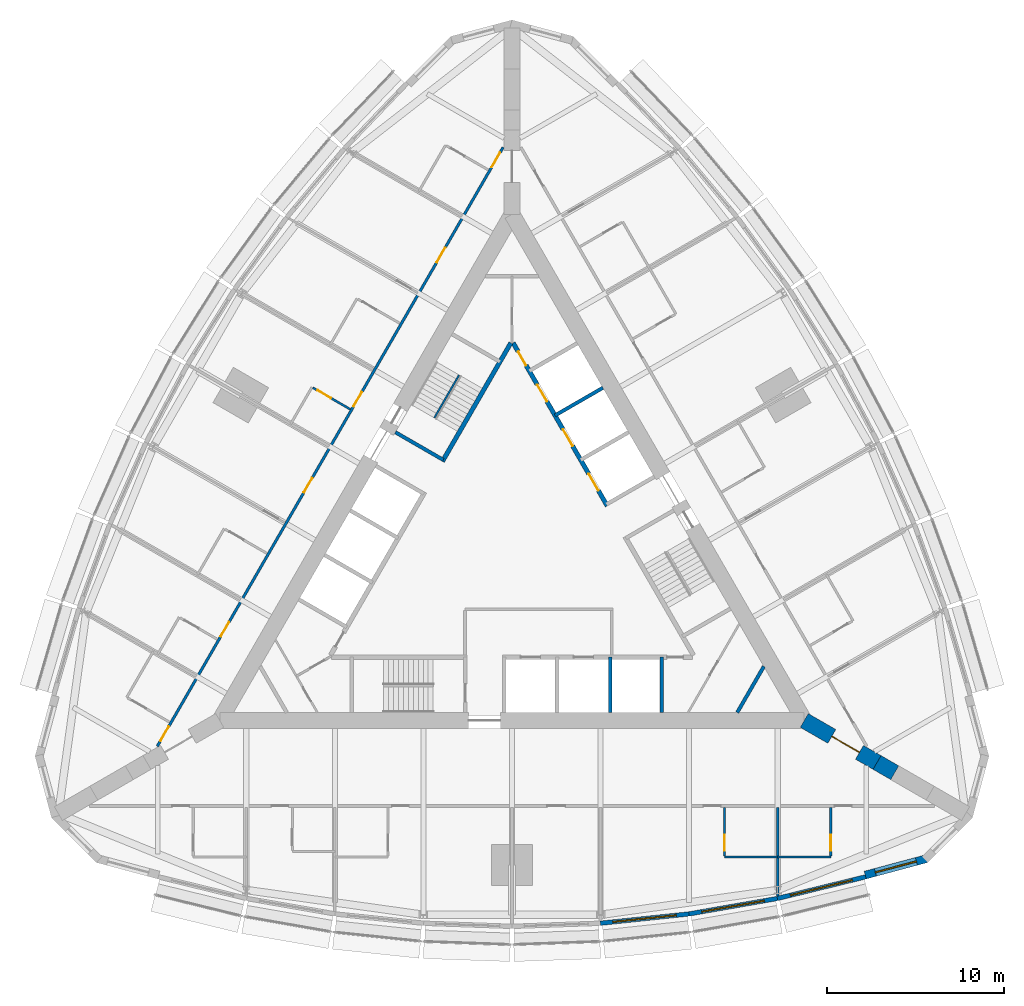
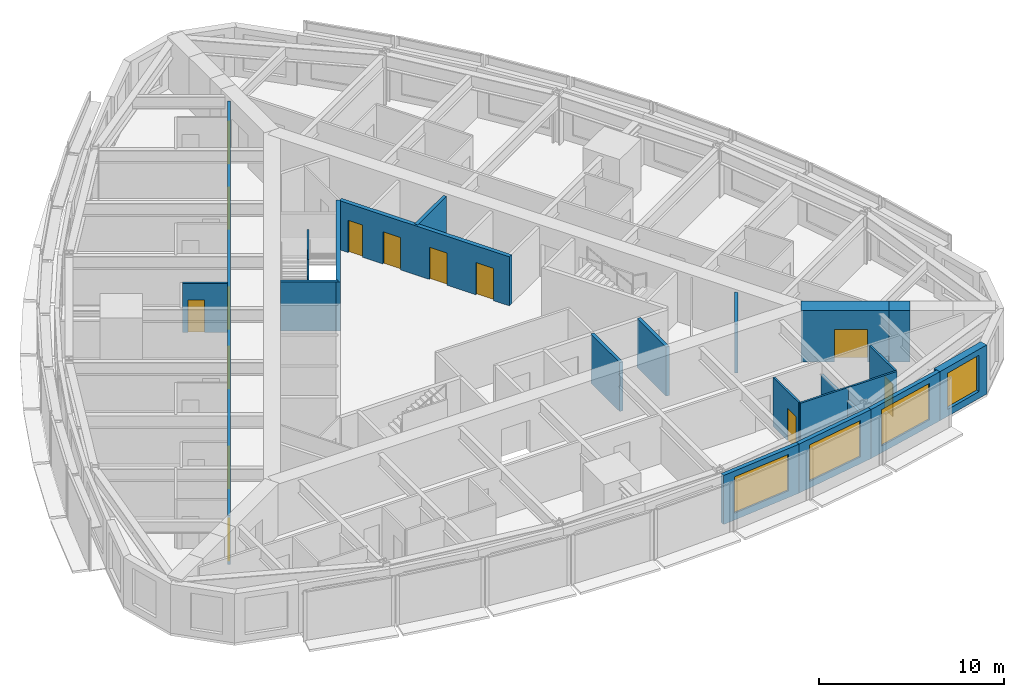
# One storey, part 10 of 14: 21 walls, 14 doors, 4 windows, 18 openings.
"""IFC4 building model written with IfcOpenShell, lengths in metres."""

from ifc_helpers import new_model, si_unit, direction, frame, frame_2d, origin, place, context, subcontext, project, spatial, rectangle, extrude, material, layer, layer_set, type_object, element, fill, save


model = new_model("IFC4")

# Units and contexts
model_context = context("Model", 3, precision=1e-05, world=origin(), true_north=direction((0.0, 1.0)))
body_context = subcontext(model_context, "Body", "Model", "MODEL_VIEW")
ifc_project = project(units=[si_unit("LENGTHUNIT", "METRE"), si_unit("AREAUNIT", "SQUARE_METRE"), si_unit("VOLUMEUNIT", "CUBIC_METRE"), si_unit("PLANEANGLEUNIT", "RADIAN"), si_unit("MASSUNIT", "GRAM", prefix="KILO")], contexts=[model_context])

# Site, building, storey
site_placement = place(None, origin())
site = spatial("IfcSite", under=ifc_project, at=site_placement, CompositionType="ELEMENT")
building_placement = place(site_placement, origin())
building = spatial("IfcBuilding", under=site, at=building_placement, Name="Trikona Tower", CompositionType="ELEMENT")
storey_placement = place(building_placement, frame((0.0, 0.0, 175.89990234375)))
storey = spatial("IfcBuildingStorey", under=building, at=storey_placement, Name="L47", CompositionType="ELEMENT", Elevation=175.89990234375)

# Wall
ifc_material_1 = material(Name="Metal stud and cement board", Category="gypsum")
ifc_layer_1 = layer(ifc_material_1, 0.1201171875)
ifc_layer_set_1 = layer_set([ifc_layer_1], Name="Bathroom wall 120")
wall_type_1 = type_object("IfcWallType", Name="Bathroom wall 120", PredefinedType="PLUMBINGWALL", material=ifc_layer_set_1)
wall_1_placement = place(storey_placement, frame((12.0, -17.226318359375, 0.0), z_axis=(0.0, 0.0, 1.0), x_axis=(1.0, 0.0, 0.0)))
element("IfcWall", 1, at=wall_1_placement, inside=storey, type_object=wall_type_1, Name="Bathroom wall 4704", PredefinedType="PLUMBINGWALL", context=body_context, shape_type="SweptSolid", body=[
    extrude(rectangle(XDim=3.0, YDim=0.1201171875, at=frame_2d((1.5, 0.0))), origin(), (0.0, 0.0, 1.0), 3.235107421875),
])

# Wall, opening, door
wall_2_placement = place(storey_placement, frame((12.0, -14.42626953125, 0.0), z_axis=(0.0, 0.0, 1.0), x_axis=(0.0, -1.0, 0.0)))
wall_2 = element("IfcWall", 2, at=wall_2_placement, inside=storey, type_object=wall_type_1, Name="Bathroom wall 4704", PredefinedType="PLUMBINGWALL", context=body_context, shape_type="SweptSolid", body=[
    extrude(rectangle(XDim=2.739990234375, YDim=0.1201171875, at=frame_2d((1.3701171875, 0.0))), origin(), (0.0, 0.0, 1.0), 3.235107421875),
])
opening_1_placement = place(wall_2_placement, frame((1.550048828125, 0.0, 0.0)))
opening_1 = element("IfcOpeningElement", 3, at=opening_1_placement, cuts=wall_2, Name="Opening D2", PredefinedType="OPENING", context=body_context, shape_type="SweptSolid", body=[
    extrude(rectangle(XDim=0.89990234375, YDim=2.1298828125, at=frame_2d((0.449951171875, 1.06494140625))), frame((0.0, 0.070068359375, 0.0), z_axis=(0.0, -1.0, 0.0), x_axis=(1.0, 0.0, 0.0)), (0.0, 0.0, 1.0), 0.14013671875),
])
ifc_material_2 = material(Name="Steel door frame with solid-core timber leaf", Category="steel")
door_type_1 = type_object("IfcDoorType", Name="Bathroom door 900x2130", OperationType="SLIDING_TO_LEFT", PredefinedType="DOOR", material=ifc_material_2)
door_1_placement = place(opening_1_placement, origin())
door_1 = element("IfcDoor", 4, at=door_1_placement, inside=storey, type_object=door_type_1, Name="Bathroom door 4704", OperationType="SLIDING_TO_LEFT", OverallHeight=2.1298828125, OverallWidth=0.89990234375, PredefinedType="DOOR", context=body_context, shape_type="SweptSolid", body=[
    extrude(rectangle(XDim=0.89990234375, YDim=2.1298828125, at=frame_2d((0.449951171875, 1.06494140625))), frame((0.0, 0.02490234375, 0.0), z_axis=(0.0, -1.0, 0.0), x_axis=(1.0, 0.0, 0.0)), (0.0, 0.0, 1.0), 0.050048828125),
])
fill(opening_1, door_1)

# Wall
wall_3_placement = place(storey_placement, frame((15.0, -17.226318359375, 0.0), z_axis=(0.0, 0.0, 1.0), x_axis=(1.0, 0.0, 0.0)))
element("IfcWall", 5, at=wall_3_placement, inside=storey, type_object=wall_type_1, Name="Bathroom wall 4705", PredefinedType="PLUMBINGWALL", context=body_context, shape_type="SweptSolid", body=[
    extrude(rectangle(XDim=3.0, YDim=0.1201171875, at=frame_2d((1.5, 0.0))), origin(), (0.0, 0.0, 1.0), 3.235107421875),
])

# Wall, opening, door
wall_4_placement = place(storey_placement, frame((18.0, -14.42626953125, 0.0), z_axis=(0.0, 0.0, 1.0), x_axis=(0.0, -1.0, 0.0)))
wall_4 = element("IfcWall", 6, at=wall_4_placement, inside=storey, type_object=wall_type_1, Name="Bathroom wall 4705", PredefinedType="PLUMBINGWALL", context=body_context, shape_type="SweptSolid", body=[
    extrude(rectangle(XDim=2.739990234375, YDim=0.1201171875, at=frame_2d((1.3701171875, 0.0))), origin(), (0.0, 0.0, 1.0), 3.235107421875),
])
opening_2_placement = place(wall_4_placement, frame((1.550048828125, 0.0, 0.0)))
opening_2 = element("IfcOpeningElement", 7, at=opening_2_placement, cuts=wall_4, Name="Opening D2", PredefinedType="OPENING", context=body_context, shape_type="SweptSolid", body=[
    extrude(rectangle(XDim=0.89990234375, YDim=2.1298828125, at=frame_2d((0.449951171875, 1.06494140625))), frame((0.0, 0.070068359375, 0.0), z_axis=(0.0, -1.0, 0.0), x_axis=(1.0, 0.0, 0.0)), (0.0, 0.0, 1.0), 0.14013671875),
])
door_2_placement = place(opening_2_placement, origin())
door_2 = element("IfcDoor", 8, at=door_2_placement, inside=storey, type_object=door_type_1, Name="Bathroom door 4705", OperationType="SLIDING_TO_LEFT", OverallHeight=2.1298828125, OverallWidth=0.89990234375, PredefinedType="DOOR", context=body_context, shape_type="SweptSolid", body=[
    extrude(rectangle(XDim=0.89990234375, YDim=2.1298828125, at=frame_2d((0.449951171875, 1.06494140625))), frame((0.0, 0.02490234375, 0.0), z_axis=(0.0, -1.0, 0.0), x_axis=(1.0, 0.0, 0.0)), (0.0, 0.0, 1.0), 0.050048828125),
])
fill(opening_2, door_2)

wall_5_placement = place(storey_placement, frame((-9.12841796875, 8.04150390625, 0.0), z_axis=(0.0, 0.0, 1.0), x_axis=(-0.866005645448, 0.500034220881, 0.0)))
wall_5 = element("IfcWall", 9, at=wall_5_placement, inside=storey, type_object=wall_type_1, Name="Bathroom wall 4712", PredefinedType="PLUMBINGWALL", context=body_context, shape_type="SweptSolid", body=[
    extrude(rectangle(XDim=2.440185546875, YDim=0.1201171875, at=frame_2d((1.22021484375, 0.0))), origin(), (0.0, 0.0, 1.0), 3.235107421875),
])
opening_3_placement = place(wall_5_placement, frame((1.25, 0.0, 0.0)))
opening_3 = element("IfcOpeningElement", 10, at=opening_3_placement, cuts=wall_5, Name="Opening D2", PredefinedType="OPENING", context=body_context, shape_type="SweptSolid", body=[
    extrude(rectangle(XDim=0.89990234375, YDim=2.1298828125, at=frame_2d((0.449951171875, 1.06494140625))), frame((0.0, 0.070068359375, 0.0), z_axis=(0.0, -1.0, 0.0), x_axis=(1.0, 0.0, 0.0)), (0.0, 0.0, 1.0), 0.14013671875),
])
door_3_placement = place(opening_3_placement, origin())
door_3 = element("IfcDoor", 11, at=door_3_placement, inside=storey, type_object=door_type_1, Name="Bathroom door 4712", OperationType="SLIDING_TO_LEFT", OverallHeight=2.1298828125, OverallWidth=0.89990234375, PredefinedType="DOOR", context=body_context, shape_type="SweptSolid", body=[
    extrude(rectangle(XDim=0.89990234375, YDim=2.1298828125, at=frame_2d((0.449951171875, 1.06494140625))), frame((0.0, 0.02490234375, 0.0), z_axis=(0.0, -1.0, 0.0), x_axis=(1.0, 0.0, 0.0)), (0.0, 0.0, 1.0), 0.050048828125),
])
fill(opening_3, door_3)

# Wall, opening, window
ifc_material_3 = material(Name="Brick-faced precast concrete", Category="masonry")
ifc_layer_2 = layer(ifc_material_3, 0.449951171875)
ifc_layer_set_2 = layer_set([ifc_layer_2], Name="Brick-faced corner wall 450")
wall_type_2 = type_object("IfcWallType", Name="Brick-faced corner wall 450", PredefinedType="SOLIDWALL", material=ifc_layer_set_2)
wall_6_placement = place(storey_placement, frame((19.94189453125, -18.2578125, 0.0), z_axis=(0.0, 0.0, 1.0), x_axis=(0.965924653531, 0.258823421857, 0.0)))
wall_6 = element("IfcWall", 12, at=wall_6_placement, inside=storey, type_object=wall_type_2, Name="External wall L47-08", PredefinedType="SOLIDWALL", context=body_context, shape_type="SweptSolid", body=[
    extrude(rectangle(XDim=3.58642578125, YDim=0.449951171875, at=frame_2d((1.793212890625, 0.0))), origin(), (0.0, 0.0, 1.0), 3.235107421875),
])
opening_4_placement = place(wall_6_placement, frame((0.593017578125, 0.0, 0.449951171875)))
opening_4 = element("IfcOpeningElement", 13, at=opening_4_placement, cuts=wall_6, Name="Opening W2424", PredefinedType="OPENING", context=body_context, shape_type="SweptSolid", body=[
    extrude(rectangle(XDim=2.39990234375, YDim=2.39990234375, at=frame_2d((1.199951171875, 1.199951171875))), frame((0.0, 0.23486328125, 0.0), z_axis=(0.0, -1.0, 0.0), x_axis=(1.0, 0.0, 0.0)), (0.0, 0.0, 1.0), 0.469970703125),
])
ifc_material_4 = material(Name="Aluminium-framed double glazing", Category="aluminium")
window_type_1 = type_object("IfcWindowType", Name="Window 2400x2400", PartitioningType="SINGLE_PANEL", PredefinedType="WINDOW", material=ifc_material_4)
window_1_placement = place(opening_4_placement, origin())
window_1 = element("IfcWindow", 14, at=window_1_placement, inside=storey, type_object=window_type_1, Name="Window 4705", OverallHeight=2.39990234375, OverallWidth=2.39990234375, PartitioningType="SINGLE_PANEL", PredefinedType="WINDOW", context=body_context, shape_type="SweptSolid", body=[
    extrude(rectangle(XDim=2.39990234375, YDim=2.39990234375, at=frame_2d((1.199951171875, 1.199951171875))), frame((0.0, 0.030029296875, 0.0), z_axis=(0.0, -1.0, 0.0), x_axis=(1.0, 0.0, 0.0)), (0.0, 0.0, 1.0), 0.06005859375),
])
fill(opening_4, window_1)

# Wall, opening, door
ifc_material_5 = material(Name="Concrete f'c 10000 psi", Category="concrete")
ifc_layer_3 = layer(ifc_material_5, 0.89990234375)
ifc_layer_set_3 = layer_set([ifc_layer_3], Name="Buttress wall 900")
wall_type_3 = type_object("IfcWallType", Name="Buttress wall 900", PredefinedType="SHEAR", material=ifc_layer_set_3)
wall_7_placement = place(storey_placement, frame((16.5, -9.5263671875, 0.0), z_axis=(0.0, 0.0, 1.0), x_axis=(0.866031398331, -0.499989616998, 0.0)))
wall_7 = element("IfcWall", 15, at=wall_7_placement, inside=storey, type_object=wall_type_3, Name="Buttress wall 1", PredefinedType="SHEAR", context=body_context, shape_type="SweptSolid", body=[
    extrude(rectangle(XDim=4.74609375, YDim=0.89990234375, at=frame_2d((2.373046875, 0.0))), origin(), (0.0, 0.0, 1.0), 3.400146484375),
])
opening_5_placement = place(wall_7_placement, frame((1.800048828125, 0.0, 0.0)))
opening_5 = element("IfcOpeningElement", 16, at=opening_5_placement, cuts=wall_7, Name="Opening D10", PredefinedType="OPENING", context=body_context, shape_type="SweptSolid", body=[
    extrude(rectangle(XDim=1.800048828125, YDim=2.1298828125, at=frame_2d((0.89990234375, 1.06494140625))), frame((0.0, 0.4599609375, 0.0), z_axis=(0.0, -1.0, 0.0), x_axis=(1.0, 0.0, 0.0)), (0.0, 0.0, 1.0), 0.919921875),
])
ifc_material_6 = material(Name="Hollow metal door and frame", Category="steel")
door_type_2 = type_object("IfcDoorType", Name="Cross-corridor door pair 1800x2130", OperationType="DOUBLE_DOOR_DOUBLE_SWING", PredefinedType="DOOR", material=ifc_material_6)
door_4_placement = place(opening_5_placement, origin())
door_4 = element("IfcDoor", 17, at=door_4_placement, inside=storey, type_object=door_type_2, Name="Cross-corridor door 1", OperationType="DOUBLE_DOOR_DOUBLE_SWING", OverallHeight=2.1298828125, OverallWidth=1.800048828125, PredefinedType="DOOR", context=body_context, shape_type="SweptSolid", body=[
    extrude(rectangle(XDim=1.800048828125, YDim=2.1298828125, at=frame_2d((0.89990234375, 1.06494140625))), frame((0.0, 0.02490234375, 0.0), z_axis=(0.0, -1.0, 0.0), x_axis=(1.0, 0.0, 0.0)), (0.0, 0.0, 1.0), 0.050048828125),
])
fill(opening_5, door_4)

# Wall
wall_8_placement = place(storey_placement, frame((20.6103515625, -11.8994140625, 0.0), z_axis=(0.0, 0.0, 1.0), x_axis=(0.866009537788, -0.500027479704, 0.0)))
element("IfcWall", 18, at=wall_8_placement, inside=storey, type_object=wall_type_3, Name="Buttress wall 1 part 2", PredefinedType="SHEAR", context=body_context, shape_type="SweptSolid", body=[
    extrude(rectangle(XDim=1.15478515625, YDim=0.89990234375, at=frame_2d((0.577392578125, 0.0))), origin(), (0.0, 0.0, 1.0), 3.400146484375),
])

# Wall, openings, doors
ifc_material_7 = material(Name="Metal stud and gypsum board, 1-hour", Category="gypsum")
ifc_layer_4 = layer(ifc_material_7, 0.14990234375)
ifc_layer_set_4 = layer_set([ifc_layer_4], Name="Corridor wall 150")
wall_type_4 = type_object("IfcWallType", Name="Corridor wall 150", PredefinedType="PARTITIONING", material=ifc_layer_set_4)
wall_9_placement = place(storey_placement, frame((-0.5, 22.83642578125, 0.0), z_axis=(0.0, 0.0, 1.0), x_axis=(-0.500001677587, -0.866024435227, 0.0)))
wall_9 = element("IfcWall", 19, at=wall_9_placement, inside=storey, type_object=wall_type_4, Name="Corridor wall L47-3", PredefinedType="PARTITIONING", context=body_context, shape_type="SweptSolid", body=[
    extrude(rectangle(XDim=39.053955078125, YDim=0.14990234375, at=frame_2d((19.52685546875, 0.0))), origin(), (0.0, 0.0, 1.0), 3.235107421875),
])
opening_6_placement = place(wall_9_placement, frame((0.35205078125, 0.0, 0.0)))
opening_6 = element("IfcOpeningElement", 20, at=opening_6_placement, cuts=wall_9, Name="Opening D1", PredefinedType="OPENING", context=body_context, shape_type="SweptSolid", body=[
    extrude(rectangle(XDim=0.949951171875, YDim=2.1298828125, at=frame_2d((0.47509765625, 1.06494140625))), frame((0.0, 0.0849609375, 0.0), z_axis=(0.0, -1.0, 0.0), x_axis=(1.0, 0.0, 0.0)), (0.0, 0.0, 1.0), 0.169921875),
])
opening_7_placement = place(wall_9_placement, frame((6.552001953125, 0.0, 0.0)))
opening_7 = element("IfcOpeningElement", 21, at=opening_7_placement, cuts=wall_9, Name="Opening D1", PredefinedType="OPENING", context=body_context, shape_type="SweptSolid", body=[
    extrude(rectangle(XDim=0.949951171875, YDim=2.1298828125, at=frame_2d((0.47509765625, 1.06494140625))), frame((0.0, 0.0849609375, 0.0), z_axis=(0.0, -1.0, 0.0), x_axis=(1.0, 0.0, 0.0)), (0.0, 0.0, 1.0), 0.169921875),
])
opening_8_placement = place(wall_9_placement, frame((15.951904296875, 0.0, 0.0)))
opening_8 = element("IfcOpeningElement", 22, at=opening_8_placement, cuts=wall_9, Name="Opening D1", PredefinedType="OPENING", context=body_context, shape_type="SweptSolid", body=[
    extrude(rectangle(XDim=0.949951171875, YDim=2.1298828125, at=frame_2d((0.47509765625, 1.06494140625))), frame((0.0, 0.0849609375, 0.0), z_axis=(0.0, -1.0, 0.0), x_axis=(1.0, 0.0, 0.0)), (0.0, 0.0, 1.0), 0.169921875),
])
opening_9_placement = place(wall_9_placement, frame((21.552001953125, 0.0, 0.0)))
opening_9 = element("IfcOpeningElement", 23, at=opening_9_placement, cuts=wall_9, Name="Opening D1", PredefinedType="OPENING", context=body_context, shape_type="SweptSolid", body=[
    extrude(rectangle(XDim=0.949951171875, YDim=2.1298828125, at=frame_2d((0.47509765625, 1.06494140625))), frame((0.0, 0.0849609375, 0.0), z_axis=(0.0, -1.0, 0.0), x_axis=(1.0, 0.0, 0.0)), (0.0, 0.0, 1.0), 0.169921875),
])
opening_10_placement = place(wall_9_placement, frame((30.951904296875, 0.0, 0.0)))
opening_10 = element("IfcOpeningElement", 24, at=opening_10_placement, cuts=wall_9, Name="Opening D1", PredefinedType="OPENING", context=body_context, shape_type="SweptSolid", body=[
    extrude(rectangle(XDim=0.949951171875, YDim=2.1298828125, at=frame_2d((0.47509765625, 1.06494140625))), frame((0.0, 0.0849609375, 0.0), z_axis=(0.0, -1.0, 0.0), x_axis=(1.0, 0.0, 0.0)), (0.0, 0.0, 1.0), 0.169921875),
])
opening_11_placement = place(wall_9_placement, frame((37.751953125, 0.0, 0.0)))
opening_11 = element("IfcOpeningElement", 25, at=opening_11_placement, cuts=wall_9, Name="Opening D1", PredefinedType="OPENING", context=body_context, shape_type="SweptSolid", body=[
    extrude(rectangle(XDim=0.949951171875, YDim=2.1298828125, at=frame_2d((0.47509765625, 1.06494140625))), frame((0.0, 0.0849609375, 0.0), z_axis=(0.0, -1.0, 0.0), x_axis=(1.0, 0.0, 0.0)), (0.0, 0.0, 1.0), 0.169921875),
])
ifc_material_8 = material(Name="Steel door frame with solid-core timber leaf", Category="steel")
door_type_3 = type_object("IfcDoorType", Name="Guest room door 950x2130", OperationType="SINGLE_SWING_LEFT", PredefinedType="DOOR", material=ifc_material_8)
door_5_placement = place(opening_6_placement, origin())
door_5 = element("IfcDoor", 26, at=door_5_placement, inside=storey, type_object=door_type_3, Name="Room door 4710", OperationType="SINGLE_SWING_LEFT", OverallHeight=2.1298828125, OverallWidth=0.949951171875, PredefinedType="DOOR", context=body_context, shape_type="SweptSolid", body=[
    extrude(rectangle(XDim=0.949951171875, YDim=2.1298828125, at=frame_2d((0.47509765625, 1.06494140625))), frame((0.0, 0.02490234375, 0.0), z_axis=(0.0, -1.0, 0.0), x_axis=(1.0, 0.0, 0.0)), (0.0, 0.0, 1.0), 0.050048828125),
])
fill(opening_6, door_5)
door_6_placement = place(opening_7_placement, origin())
door_6 = element("IfcDoor", 27, at=door_6_placement, inside=storey, type_object=door_type_3, Name="Room door 4711", OperationType="SINGLE_SWING_RIGHT", OverallHeight=2.1298828125, OverallWidth=0.949951171875, PredefinedType="DOOR", context=body_context, shape_type="SweptSolid", body=[
    extrude(rectangle(XDim=0.949951171875, YDim=2.1298828125, at=frame_2d((0.47509765625, 1.06494140625))), frame((0.0, 0.02490234375, 0.0), z_axis=(0.0, -1.0, 0.0), x_axis=(1.0, 0.0, 0.0)), (0.0, 0.0, 1.0), 0.050048828125),
])
fill(opening_7, door_6)
door_7_placement = place(opening_8_placement, origin())
door_7 = element("IfcDoor", 28, at=door_7_placement, inside=storey, type_object=door_type_3, Name="Room door 4712", OperationType="SINGLE_SWING_LEFT", OverallHeight=2.1298828125, OverallWidth=0.949951171875, PredefinedType="DOOR", context=body_context, shape_type="SweptSolid", body=[
    extrude(rectangle(XDim=0.949951171875, YDim=2.1298828125, at=frame_2d((0.47509765625, 1.06494140625))), frame((0.0, 0.02490234375, 0.0), z_axis=(0.0, -1.0, 0.0), x_axis=(1.0, 0.0, 0.0)), (0.0, 0.0, 1.0), 0.050048828125),
])
fill(opening_8, door_7)
door_8_placement = place(opening_9_placement, origin())
door_8 = element("IfcDoor", 29, at=door_8_placement, inside=storey, type_object=door_type_3, Name="Room door 4713", OperationType="SINGLE_SWING_RIGHT", OverallHeight=2.1298828125, OverallWidth=0.949951171875, PredefinedType="DOOR", context=body_context, shape_type="SweptSolid", body=[
    extrude(rectangle(XDim=0.949951171875, YDim=2.1298828125, at=frame_2d((0.47509765625, 1.06494140625))), frame((0.0, 0.02490234375, 0.0), z_axis=(0.0, -1.0, 0.0), x_axis=(1.0, 0.0, 0.0)), (0.0, 0.0, 1.0), 0.050048828125),
])
fill(opening_9, door_8)
door_9_placement = place(opening_10_placement, origin())
door_9 = element("IfcDoor", 30, at=door_9_placement, inside=storey, type_object=door_type_3, Name="Room door 4714", OperationType="SINGLE_SWING_LEFT", OverallHeight=2.1298828125, OverallWidth=0.949951171875, PredefinedType="DOOR", context=body_context, shape_type="SweptSolid", body=[
    extrude(rectangle(XDim=0.949951171875, YDim=2.1298828125, at=frame_2d((0.47509765625, 1.06494140625))), frame((0.0, 0.02490234375, 0.0), z_axis=(0.0, -1.0, 0.0), x_axis=(1.0, 0.0, 0.0)), (0.0, 0.0, 1.0), 0.050048828125),
])
fill(opening_10, door_9)
door_10_placement = place(opening_11_placement, origin())
door_10 = element("IfcDoor", 31, at=door_10_placement, inside=storey, type_object=door_type_3, Name="Room door 4715", OperationType="SINGLE_SWING_RIGHT", OverallHeight=2.1298828125, OverallWidth=0.949951171875, PredefinedType="DOOR", context=body_context, shape_type="SweptSolid", body=[
    extrude(rectangle(XDim=0.949951171875, YDim=2.1298828125, at=frame_2d((0.47509765625, 1.06494140625))), frame((0.0, 0.02490234375, 0.0), z_axis=(0.0, -1.0, 0.0), x_axis=(1.0, 0.0, 0.0)), (0.0, 0.0, 1.0), 0.050048828125),
])
fill(opening_11, door_10)

ifc_material_9 = material(Name="Concrete f'c 8000 psi", Category="concrete")
ifc_layer_5 = layer(ifc_material_9, 0.25)
ifc_layer_set_5 = layer_set([ifc_layer_5], Name="Hub wall 250")
wall_type_5 = type_object("IfcWallType", Name="Hub wall 250", PredefinedType="SOLIDWALL", material=ifc_layer_set_5)
wall_10_placement = place(storey_placement, frame((5.37890625, 2.5859375, 0.0), z_axis=(0.0, 0.0, 1.0), x_axis=(-0.500001375892, 0.866024609411, 0.0)))
wall_10 = element("IfcWall", 32, at=wall_10_placement, inside=storey, type_object=wall_type_5, Name="Lift lobby wall B2", PredefinedType="SOLIDWALL", context=body_context, shape_type="SweptSolid", body=[
    extrude(rectangle(XDim=10.6328125, YDim=0.25, at=frame_2d((5.31640625, 0.0))), origin(), (0.0, 0.0, 1.0), 3.235107421875),
])
opening_12_placement = place(wall_10_placement, frame((9.1640625, 0.0, 0.0)))
opening_12 = element("IfcOpeningElement", 33, at=opening_12_placement, cuts=wall_10, Name="Opening D14", PredefinedType="OPENING", context=body_context, shape_type="SweptSolid", body=[
    extrude(rectangle(XDim=0.89990234375, YDim=2.1298828125, at=frame_2d((0.449951171875, 1.06494140625))), frame((0.0, 0.135009765625, 0.0), z_axis=(0.0, -1.0, 0.0), x_axis=(1.0, 0.0, 0.0)), (0.0, 0.0, 1.0), 0.27001953125),
])
opening_13_placement = place(wall_10_placement, frame((1.0, 0.0, 0.0)))
opening_13 = element("IfcOpeningElement", 34, at=opening_13_placement, cuts=wall_10, Name="Opening LD", PredefinedType="OPENING", context=body_context, shape_type="SweptSolid", body=[
    extrude(rectangle(XDim=1.10009765625, YDim=2.1298828125, at=frame_2d((0.550048828125, 1.06494140625))), frame((0.0, 0.135009765625, 0.0), z_axis=(0.0, -1.0, 0.0), x_axis=(1.0, 0.0, 0.0)), (0.0, 0.0, 1.0), 0.27001953125),
])
opening_14_placement = place(wall_10_placement, frame((3.89990234375, 0.0, 0.0)))
opening_14 = element("IfcOpeningElement", 35, at=opening_14_placement, cuts=wall_10, Name="Opening LD", PredefinedType="OPENING", context=body_context, shape_type="SweptSolid", body=[
    extrude(rectangle(XDim=1.10009765625, YDim=2.1298828125, at=frame_2d((0.550048828125, 1.06494140625))), frame((0.0, 0.135009765625, 0.0), z_axis=(0.0, -1.0, 0.0), x_axis=(1.0, 0.0, 0.0)), (0.0, 0.0, 1.0), 0.27001953125),
])
opening_15_placement = place(wall_10_placement, frame((6.800048828125, 0.0, 0.0)))
opening_15 = element("IfcOpeningElement", 36, at=opening_15_placement, cuts=wall_10, Name="Opening LD", PredefinedType="OPENING", context=body_context, shape_type="SweptSolid", body=[
    extrude(rectangle(XDim=1.10009765625, YDim=2.1298828125, at=frame_2d((0.550048828125, 1.06494140625))), frame((0.0, 0.135009765625, 0.0), z_axis=(0.0, -1.0, 0.0), x_axis=(1.0, 0.0, 0.0)), (0.0, 0.0, 1.0), 0.27001953125),
])
ifc_material_10 = material(Name="Stainless steel lift landing door", Category="steel")
door_type_4 = type_object("IfcDoorType", Name="Lift landing door 1100x2130", OperationType="DOUBLE_DOOR_SLIDING", PredefinedType="USERDEFINED", material=ifc_material_10)
door_11_placement = place(opening_13_placement, origin())
door_11 = element("IfcDoor", 37, at=door_11_placement, inside=storey, type_object=door_type_4, Name="Lift landing door L2-1", ObjectType="LIFT LANDING DOOR", OperationType="DOUBLE_DOOR_SLIDING", OverallHeight=2.1298828125, OverallWidth=1.10009765625, PredefinedType="USERDEFINED", context=body_context, shape_type="SweptSolid", body=[
    extrude(rectangle(XDim=1.10009765625, YDim=2.1298828125, at=frame_2d((0.550048828125, 1.06494140625))), frame((0.0, 0.02490234375, 0.0), z_axis=(0.0, -1.0, 0.0), x_axis=(1.0, 0.0, 0.0)), (0.0, 0.0, 1.0), 0.050048828125),
])
fill(opening_13, door_11)
door_12_placement = place(opening_14_placement, origin())
door_12 = element("IfcDoor", 38, at=door_12_placement, inside=storey, type_object=door_type_4, Name="Lift landing door L2-2", ObjectType="LIFT LANDING DOOR", OperationType="DOUBLE_DOOR_SLIDING", OverallHeight=2.1298828125, OverallWidth=1.10009765625, PredefinedType="USERDEFINED", context=body_context, shape_type="SweptSolid", body=[
    extrude(rectangle(XDim=1.10009765625, YDim=2.1298828125, at=frame_2d((0.550048828125, 1.06494140625))), frame((0.0, 0.02490234375, 0.0), z_axis=(0.0, -1.0, 0.0), x_axis=(1.0, 0.0, 0.0)), (0.0, 0.0, 1.0), 0.050048828125),
])
fill(opening_14, door_12)
door_13_placement = place(opening_15_placement, origin())
door_13 = element("IfcDoor", 39, at=door_13_placement, inside=storey, type_object=door_type_4, Name="Lift landing door L2-3", ObjectType="LIFT LANDING DOOR", OperationType="DOUBLE_DOOR_SLIDING", OverallHeight=2.1298828125, OverallWidth=1.10009765625, PredefinedType="USERDEFINED", context=body_context, shape_type="SweptSolid", body=[
    extrude(rectangle(XDim=1.10009765625, YDim=2.1298828125, at=frame_2d((0.550048828125, 1.06494140625))), frame((0.0, 0.02490234375, 0.0), z_axis=(0.0, -1.0, 0.0), x_axis=(1.0, 0.0, 0.0)), (0.0, 0.0, 1.0), 0.050048828125),
])
fill(opening_15, door_13)
ifc_material_11 = material(Name="Hollow metal door and frame", Category="steel")
door_type_5 = type_object("IfcDoorType", Name="Service room door 900x2130", OperationType="SINGLE_SWING_LEFT", PredefinedType="DOOR", material=ifc_material_11)
door_14_placement = place(opening_12_placement, origin())
door_14 = element("IfcDoor", 40, at=door_14_placement, inside=storey, type_object=door_type_5, Name="Door Linen store LIN", OperationType="SINGLE_SWING_RIGHT", OverallHeight=2.1298828125, OverallWidth=0.89990234375, PredefinedType="DOOR", context=body_context, shape_type="SweptSolid", body=[
    extrude(rectangle(XDim=0.89990234375, YDim=2.1298828125, at=frame_2d((0.449951171875, 1.06494140625))), frame((0.0, 0.02490234375, 0.0), z_axis=(0.0, -1.0, 0.0), x_axis=(1.0, 0.0, 0.0)), (0.0, 0.0, 1.0), 0.050048828125),
])
fill(opening_12, door_14)

# Wall
wall_11_placement = place(storey_placement, frame((-0.0625, 11.794189453125, 0.0), z_axis=(0.0, 0.0, 1.0), x_axis=(-0.500006680225, -0.86602154692, 0.0)))
element("IfcWall", 41, at=wall_11_placement, inside=storey, type_object=wall_type_5, Name="Lift lobby wall C1", PredefinedType="SOLIDWALL", context=body_context, shape_type="SweptSolid", body=[
    extrude(rectangle(XDim=7.73291015625, YDim=0.25, at=frame_2d((3.866455078125, 0.0))), origin(), (0.0, 0.0, 1.0), 3.235107421875),
])

# Wall, opening, window
ifc_material_12 = material(Name="Insulated precast concrete spandrel panel", Category="concrete")
ifc_layer_6 = layer(ifc_material_12, 0.25)
ifc_layer_set_6 = layer_set([ifc_layer_6], Name="Inner skin wall 250")
wall_type_6 = type_object("IfcWallType", Name="Inner skin wall 250", PredefinedType="STANDARD", material=ifc_layer_set_6)
wall_12_placement = place(storey_placement, frame((4.98681640625, -20.975830078125, 0.0), z_axis=(0.0, 0.0, 1.0), x_axis=(0.994534683851, 0.104406717299, 0.0)))
wall_12 = element("IfcWall", 42, at=wall_12_placement, inside=storey, type_object=wall_type_6, Name="External wall L47-05", PredefinedType="STANDARD", context=body_context, shape_type="SweptSolid", body=[
    extrude(rectangle(XDim=5.027587890625, YDim=0.25, at=frame_2d((2.513671875, 0.0))), origin(), (0.0, 0.0, 1.0), 3.235107421875),
])
opening_16_placement = place(wall_12_placement, frame((0.713623046875, 0.0, 0.449951171875)))
opening_16 = element("IfcOpeningElement", 43, at=opening_16_placement, cuts=wall_12, Name="Opening W3624", PredefinedType="OPENING", context=body_context, shape_type="SweptSolid", body=[
    extrude(rectangle(XDim=3.60009765625, YDim=2.39990234375, at=frame_2d((1.800048828125, 1.199951171875))), frame((0.0, 0.135009765625, 0.0), z_axis=(0.0, -1.0, 0.0), x_axis=(1.0, 0.0, 0.0)), (0.0, 0.0, 1.0), 0.27001953125),
])
ifc_material_13 = material(Name="Aluminium-framed double glazing", Category="aluminium")
window_type_2 = type_object("IfcWindowType", Name="Window 3600x2400", PartitioningType="SINGLE_PANEL", PredefinedType="WINDOW", material=ifc_material_13)
window_2_placement = place(opening_16_placement, origin())
window_2 = element("IfcWindow", 44, at=window_2_placement, inside=storey, type_object=window_type_2, Name="Window 4704", OverallHeight=2.39990234375, OverallWidth=3.60009765625, PartitioningType="SINGLE_PANEL", PredefinedType="WINDOW", context=body_context, shape_type="SweptSolid", body=[
    extrude(rectangle(XDim=3.60009765625, YDim=2.39990234375, at=frame_2d((1.800048828125, 1.199951171875))), frame((0.0, 0.030029296875, 0.0), z_axis=(0.0, -1.0, 0.0), x_axis=(1.0, 0.0, 0.0)), (0.0, 0.0, 1.0), 0.06005859375),
])
fill(opening_16, window_2)

wall_13_placement = place(storey_placement, frame((9.978515625, -20.4521484375, 0.0), z_axis=(0.0, 0.0, 1.0), x_axis=(0.985030467156, 0.172380331752, 0.0)))
wall_13 = element("IfcWall", 45, at=wall_13_placement, inside=storey, type_object=wall_type_6, Name="External wall L47-06", PredefinedType="STANDARD", context=body_context, shape_type="SweptSolid", body=[
    extrude(rectangle(XDim=5.075927734375, YDim=0.25, at=frame_2d((2.5380859375, 0.0))), origin(), (0.0, 0.0, 1.0), 3.235107421875),
])
opening_17_placement = place(wall_13_placement, frame((0.738037109375, 0.0, 0.449951171875)))
opening_17 = element("IfcOpeningElement", 46, at=opening_17_placement, cuts=wall_13, Name="Opening W3624", PredefinedType="OPENING", context=body_context, shape_type="SweptSolid", body=[
    extrude(rectangle(XDim=3.60009765625, YDim=2.39990234375, at=frame_2d((1.800048828125, 1.199951171875))), frame((0.0, 0.135009765625, 0.0), z_axis=(0.0, -1.0, 0.0), x_axis=(1.0, 0.0, 0.0)), (0.0, 0.0, 1.0), 0.27001953125),
])
window_3_placement = place(opening_17_placement, origin())
window_3 = element("IfcWindow", 47, at=window_3_placement, inside=storey, type_object=window_type_2, Name="Window 4704", OverallHeight=2.39990234375, OverallWidth=3.60009765625, PartitioningType="SINGLE_PANEL", PredefinedType="WINDOW", context=body_context, shape_type="SweptSolid", body=[
    extrude(rectangle(XDim=3.60009765625, YDim=2.39990234375, at=frame_2d((1.800048828125, 1.199951171875))), frame((0.0, 0.030029296875, 0.0), z_axis=(0.0, -1.0, 0.0), x_axis=(1.0, 0.0, 0.0)), (0.0, 0.0, 1.0), 0.06005859375),
])
fill(opening_17, window_3)

wall_14_placement = place(storey_placement, frame((14.97021484375, -19.578857421875, 0.0), z_axis=(0.0, 0.0, 1.0), x_axis=(0.971270024053, 0.237980126011, 0.0)))
wall_14 = element("IfcWall", 48, at=wall_14_placement, inside=storey, type_object=wall_type_6, Name="External wall L47-07", PredefinedType="STANDARD", context=body_context, shape_type="SweptSolid", body=[
    extrude(rectangle(XDim=5.14794921875, YDim=0.25, at=frame_2d((2.573974609375, 0.0))), origin(), (0.0, 0.0, 1.0), 3.235107421875),
])
opening_18_placement = place(wall_14_placement, frame((0.77392578125, 0.0, 0.449951171875)))
opening_18 = element("IfcOpeningElement", 49, at=opening_18_placement, cuts=wall_14, Name="Opening W3624", PredefinedType="OPENING", context=body_context, shape_type="SweptSolid", body=[
    extrude(rectangle(XDim=3.60009765625, YDim=2.39990234375, at=frame_2d((1.800048828125, 1.199951171875))), frame((0.0, 0.135009765625, 0.0), z_axis=(0.0, -1.0, 0.0), x_axis=(1.0, 0.0, 0.0)), (0.0, 0.0, 1.0), 0.27001953125),
])
window_4_placement = place(opening_18_placement, origin())
window_4 = element("IfcWindow", 50, at=window_4_placement, inside=storey, type_object=window_type_2, Name="Window 4705", OverallHeight=2.39990234375, OverallWidth=3.60009765625, PartitioningType="SINGLE_PANEL", PredefinedType="WINDOW", context=body_context, shape_type="SweptSolid", body=[
    extrude(rectangle(XDim=3.60009765625, YDim=2.39990234375, at=frame_2d((1.800048828125, 1.199951171875))), frame((0.0, 0.030029296875, 0.0), z_axis=(0.0, -1.0, 0.0), x_axis=(1.0, 0.0, 0.0)), (0.0, 0.0, 1.0), 0.06005859375),
])
fill(opening_18, window_4)

# Walls
ifc_material_14 = material(Name="Metal stud and gypsum board, 1-hour acoustic", Category="gypsum")
ifc_layer_7 = layer(ifc_material_14, 0.14990234375)
ifc_layer_set_7 = layer_set([ifc_layer_7], Name="Party wall 150")
wall_type_7 = type_object("IfcWallType", Name="Party wall 150", PredefinedType="PARTITIONING", material=ifc_layer_set_7)
wall_15_placement = place(storey_placement, frame((15.0, -14.42626953125, 0.0), z_axis=(0.0, 0.0, 1.0), x_axis=(0.0, -1.0, 0.0)))
element("IfcWall", 51, at=wall_15_placement, inside=storey, type_object=wall_type_7, Name="Partition L47 F1 u15", PredefinedType="PARTITIONING", context=body_context, shape_type="SweptSolid", body=[
    extrude(rectangle(XDim=5.0166015625, YDim=0.14990234375, at=frame_2d((2.50830078125, 0.0))), origin(), (0.0, 0.0, 1.0), 2.389404296875),
])
ifc_material_15 = material(Name="Concrete f'c 8000 psi", Category="concrete")
ifc_layer_8 = layer(ifc_material_15, 0.199951171875)
ifc_layer_set_8 = layer_set([ifc_layer_8], Name="Shaft wall 200")
wall_type_8 = type_object("IfcWallType", Name="Shaft wall 200", PredefinedType="SOLIDWALL", material=ifc_layer_set_8)
for number, where, z_axis, x_axis, name in (
    (52, (5.550048828125, -5.951416015625, 0.0), (0.0, 0.0, 1.0), (0.0, -1.0, 0.0), "Shaft wall A5"),
    (53, (8.449951171875, -5.951416015625, 0.0), (0.0, 0.0, 1.0), (0.0, -1.0, 0.0), "Shaft wall A6"),
    (54, (2.428955078125, 7.695556640625, 0.0), (0.0, 0.0, 1.0), (0.866022959057, 0.500004234368, 0.0), "Shaft wall B5"),
):
    element("IfcWall", number, at=place(storey_placement, frame(where, z_axis=z_axis, x_axis=x_axis)), inside=storey, type_object=wall_type_8, Name=name, PredefinedType="SOLIDWALL", context=body_context, shape_type="SweptSolid", body=[
        extrude(rectangle(XDim=3.125, YDim=0.199951171875, at=frame_2d((1.5625, 0.0))), origin(), (0.0, 0.0, 1.0), 3.235107421875),
    ])
wall_16_placement = place(storey_placement, frame((14.219482421875, -6.476318359375, 0.0), z_axis=(0.0, 0.0, 1.0), x_axis=(-0.499952404951, -0.866052881055, 0.0)))
element("IfcWall", 55, at=wall_16_placement, inside=storey, type_object=wall_type_8, Name="Riser wall L47-RS1", PredefinedType="SOLIDWALL", context=body_context, shape_type="SweptSolid", body=[
    extrude(rectangle(XDim=3.002197265625, YDim=0.199951171875, at=frame_2d((1.5009765625, 0.0))), origin(), (0.0, 0.0, 1.0), 3.235107421875),
])
ifc_material_16 = material(Name="Concrete f'c 8000 psi", Category="concrete")
ifc_layer_9 = layer(ifc_material_16, 0.199951171875)
ifc_layer_set_9 = layer_set([ifc_layer_9], Name="Shaft wall 200 load-bearing")
wall_type_9 = type_object("IfcWallType", Name="Shaft wall 200 load-bearing", PredefinedType="SOLIDWALL", material=ifc_layer_set_9)
wall_17_placement = place(storey_placement, frame((-3.87890625, 5.18408203125, 0.0), z_axis=(0.0, 0.0, 1.0), x_axis=(-0.866022959057, 0.500004234368, 0.0)))
element("IfcWall", 56, at=wall_17_placement, inside=storey, type_object=wall_type_9, Name="Shaft wall C2", PredefinedType="SOLIDWALL", context=body_context, shape_type="SweptSolid", body=[
    extrude(rectangle(XDim=3.125, YDim=0.199951171875, at=frame_2d((1.5625, 0.0))), origin(), (0.0, 0.0, 1.0), 3.235107421875),
])
ifc_material_17 = material(Name="Concrete f'c 5000 psi", Category="concrete")
ifc_layer_10 = layer(ifc_material_17, 0.10009765625)
ifc_layer_set_10 = layer_set([ifc_layer_10], Name="Stair spine wall 100")
wall_type_10 = type_object("IfcWallType", Name="Stair spine wall 100", PredefinedType="SOLIDWALL", material=ifc_layer_set_10)
wall_18_placement = place(storey_placement, frame((-2.98779296875, 9.9775390625, 0.0), z_axis=(0.0, 0.0, 1.0), x_axis=(-0.499992232847, -0.866029888106, 0.0)))
element("IfcWall", 57, at=wall_18_placement, inside=storey, type_object=wall_type_10, Name="Stair C spine wall L47", PredefinedType="SOLIDWALL", context=body_context, shape_type="SweptSolid", body=[
    extrude(rectangle(XDim=2.7939453125, YDim=0.10009765625, at=frame_2d((1.39697265625, 0.0))), origin(), (0.0, 0.0, 1.0), 3.400146484375),
])

save(model, "model.ifc")
